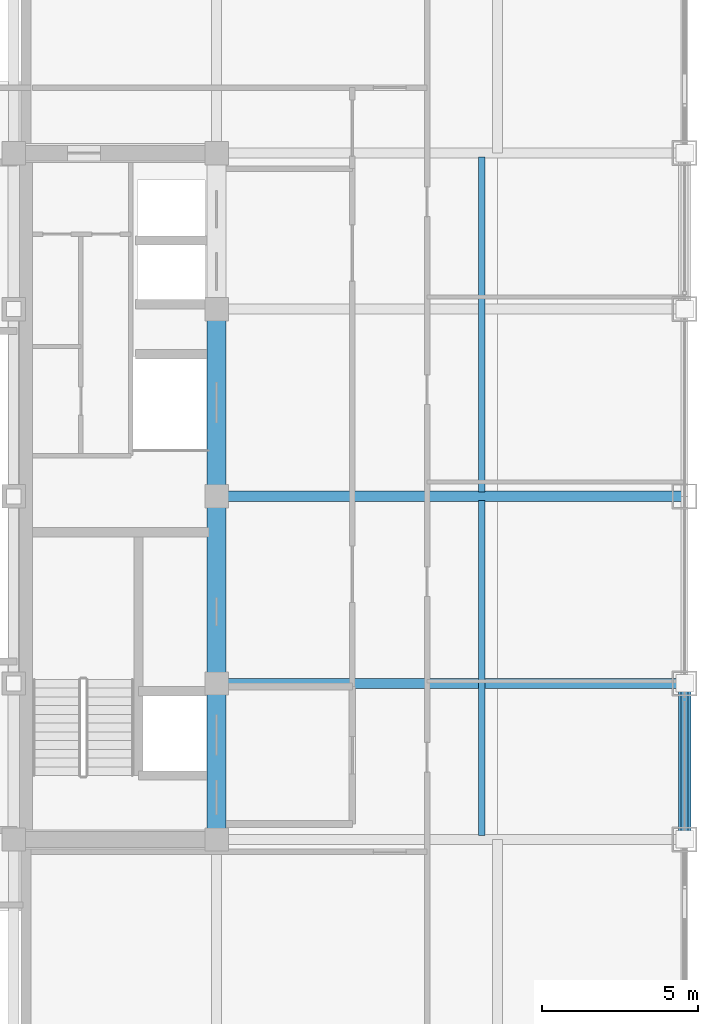
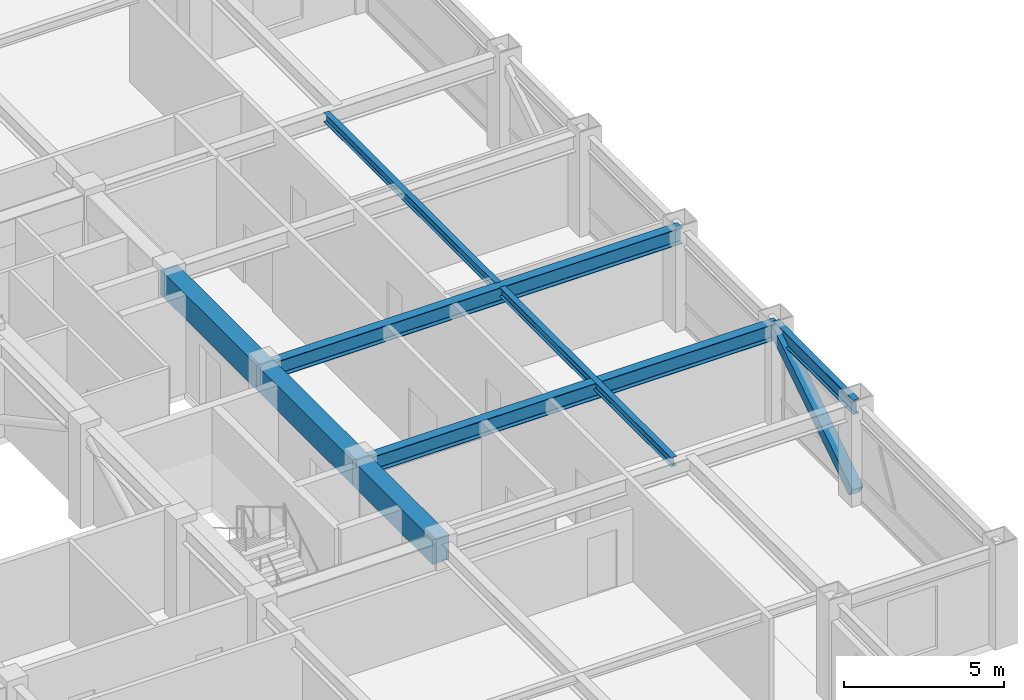
# One storey, part 13 of 29: 8 beams, 1 member.
"""IFC4 building model written with IfcOpenShell, lengths in metres."""

from ifc_helpers import new_model, si_unit, direction, frame, origin, origin_2d, place, context, subcontext, project, spatial, rectangle, hollow_rectangle, i_section, extrude, source, transform, mapped, material, material_profile, profile_set, type_object, element, save


model = new_model("IFC4")

# Units and contexts
model_context = context("Model", 3, precision=1e-05, world=origin(), true_north=direction((0.0, 1.0)))
body_context = subcontext(model_context, "Body", "Model", "MODEL_VIEW")
ifc_project = project(units=[si_unit("LENGTHUNIT", "METRE"), si_unit("AREAUNIT", "SQUARE_METRE"), si_unit("VOLUMEUNIT", "CUBIC_METRE"), si_unit("PLANEANGLEUNIT", "RADIAN"), si_unit("MASSUNIT", "GRAM", prefix="KILO")], contexts=[model_context])

# Site, building, storey
site_placement = place(None, origin())
site = spatial("IfcSite", under=ifc_project, at=site_placement, CompositionType="ELEMENT")
building_placement = place(site_placement, origin())
building = spatial("IfcBuilding", under=site, at=building_placement, Name="Khorayat Bourse Tower", CompositionType="ELEMENT")
storey_placement = place(building_placement, frame((0.0, 0.0, 350.300048828125)))
storey = spatial("IfcBuildingStorey", under=building, at=storey_placement, Name="L83", CompositionType="ELEMENT", Elevation=350.300048828125)

# Beams
ifc_material_1 = material(Name="Concrete C60/75", Category="concrete")
ifc_material_profile_1 = material_profile(ifc_material_1, rectangle(XDim=0.60009765625, YDim=0.949951171875, at=origin_2d()), Name="RC 600x950")
ifc_profile_set_1 = profile_set([ifc_material_profile_1], Name="Concrete C60/75")
beam_type_1 = type_object("IfcBeamType", Name="BM-COUP-950", PredefinedType="BEAM", material=ifc_profile_set_1)
shared_shape_1 = source(origin(), body_context, "Body", "SweptSolid", [
    extrude(rectangle(XDim=0.60009765625, YDim=0.949951171875, at=origin_2d()), origin(), (0.0, 0.0, 1.0), 5.0),
])
beam_1_placement = place(storey_placement, frame((11.0, -11.0, 3.264892578125), z_axis=(0.0, 1.0, 0.0), x_axis=(-1.0, 0.0, 0.0)))
element("IfcBeam", 1, at=beam_1_placement, inside=storey, type_object=beam_type_1, Name="L83 BM-COUP-950 BM-L83-CRX-13", PredefinedType="BEAM", context=body_context, shape_type="MappedRepresentation", body=[
    mapped(shared_shape_1, transform((0.0, 0.0, 0.0), scale=1.0)),
])
shared_shape_2 = source(origin(), body_context, "Body", "SweptSolid", [
    extrude(rectangle(XDim=0.60009765625, YDim=0.949951171875, at=origin_2d()), origin(), (0.0, 0.0, 1.0), 6.0),
])
for number, where, z_axis, x_axis, name in (
    (2, (11.0, -6.0, 3.264892578125), (0.0, 1.0, 0.0), (-1.0, 0.0, 0.0), "L83 BM-COUP-950 BM-L83-CRX-14"),
    (3, (11.0, 0.0, 3.264892578125), (0.0, 1.0, 0.0), (-1.0, 0.0, 0.0), "L83 BM-COUP-950 BM-L83-CRX-15"),
):
    element("IfcBeam", number, at=place(storey_placement, frame(where, z_axis=z_axis, x_axis=x_axis)), inside=storey, type_object=beam_type_1, Name=name, PredefinedType="BEAM", context=body_context, shape_type="MappedRepresentation", body=[
        mapped(shared_shape_2, transform((0.0, 0.0, 0.0), scale=1.0)),
    ])
ifc_material_2 = material(Name="Steel ASTM A992 Grade 50", Category="steel")
ifc_material_profile_2 = material_profile(ifc_material_2, i_section(OverallWidth=0.202880859375, OverallDepth=0.346923828125, WebThickness=0.0078125, FlangeThickness=0.013427734375, FilletRadius=0.010009765625, at=origin_2d()), Name="W360X64")
ifc_profile_set_2 = profile_set([ifc_material_profile_2], Name="Steel ASTM A992 Grade 50")
beam_type_2 = type_object("IfcBeamType", Name="BM-JOIST-360", PredefinedType="JOIST", material=ifc_profile_set_2)
shared_shape_3 = source(origin(), body_context, "Body", "SweptSolid", [
    extrude(i_section(OverallWidth=0.202880859375, OverallDepth=0.346923828125, WebThickness=0.0078125, FlangeThickness=0.013427734375, FilletRadius=0.010009765625, at=origin_2d()), origin(), (0.0, 0.0, 1.0), 10.740234375),
])
for number, where, z_axis, x_axis, name in (
    (4, (19.5, -10.8701171875, 3.56640625), (0.0, 1.0, 0.0), (-1.0, 0.0, 0.0), "L83 BM-JOIST-360 BM-L83-JSTY-081"),
    (5, (19.5, 0.1298828125, 3.56640625), (0.0, 1.0, 0.0), (-1.0, 0.0, 0.0), "L83 BM-JOIST-360 BM-L83-JSTY-082"),
):
    element("IfcBeam", number, at=place(storey_placement, frame(where, z_axis=z_axis, x_axis=x_axis)), inside=storey, type_object=beam_type_2, Name=name, PredefinedType="JOIST", context=body_context, shape_type="MappedRepresentation", body=[
        mapped(shared_shape_3, transform((0.0, 0.0, 0.0), scale=1.0)),
    ])
ifc_material_profile_3 = material_profile(ifc_material_2, i_section(OverallWidth=0.214111328125, OverallDepth=0.549072265625, WebThickness=0.0146484375, FlangeThickness=0.023681640625, FilletRadius=0.013916015625, at=origin_2d()), Name="W530X138")
ifc_profile_set_3 = profile_set([ifc_material_profile_3], Name="Steel ASTM A992 Grade 50")
beam_type_3 = type_object("IfcBeamType", Name="BM-SPAN-530", PredefinedType="SPANDREL", material=ifc_profile_set_3)
shared_shape_4 = source(origin(), body_context, "Body", "SweptSolid", [
    extrude(i_section(OverallWidth=0.214111328125, OverallDepth=0.549072265625, WebThickness=0.0146484375, FlangeThickness=0.023681640625, FilletRadius=0.013916015625, at=origin_2d()), origin(), (0.0, 0.0, 1.0), 5.0),
])
beam_2_placement = place(storey_placement, frame((26.0, -11.0, 3.46533203125), z_axis=(0.0, 1.0, 0.0), x_axis=(-1.0, 0.0, 0.0)))
element("IfcBeam", 6, at=beam_2_placement, inside=storey, type_object=beam_type_3, Name="L83 BM-SPAN-530 BM-L83-SPN-030", PredefinedType="SPANDREL", context=body_context, shape_type="MappedRepresentation", body=[
    mapped(shared_shape_4, transform((0.0, 0.0, 0.0), scale=1.0)),
])
ifc_material_profile_4 = material_profile(ifc_material_2, i_section(OverallWidth=0.324951171875, OverallDepth=0.615966796875, WebThickness=0.013916015625, FlangeThickness=0.021484375, FilletRadius=0.01611328125, at=origin_2d()), Name="W610X174")
ifc_profile_set_4 = profile_set([ifc_material_profile_4], Name="Steel ASTM A992 Grade 50")
beam_type_4 = type_object("IfcBeamType", Name="BM-GIRD-610", PredefinedType="BEAM", material=ifc_profile_set_4)
shared_shape_5 = source(origin(), body_context, "Body", "SweptSolid", [
    extrude(i_section(OverallWidth=0.324951171875, OverallDepth=0.615966796875, WebThickness=0.013916015625, FlangeThickness=0.021484375, FilletRadius=0.01611328125, at=origin_2d()), origin(), (0.0, 0.0, 1.0), 15.0),
])
for number, where, z_axis, x_axis, name in (
    (7, (11.0, -6.0, 3.431884765625), (1.0, 0.0, 0.0), (0.0, 1.0, 0.0), "L83 BM-GIRD-610 BM-L83-RADX-063"),
    (8, (11.0, 0.0, 3.431884765625), (1.0, 0.0, 0.0), (0.0, 1.0, 0.0), "L83 BM-GIRD-610 BM-L83-RADX-065"),
):
    element("IfcBeam", number, at=place(storey_placement, frame(where, z_axis=z_axis, x_axis=x_axis)), inside=storey, type_object=beam_type_4, Name=name, PredefinedType="BEAM", context=body_context, shape_type="MappedRepresentation", body=[
        mapped(shared_shape_5, transform((0.0, 0.0, 0.0), scale=1.0)),
    ])

# Member
ifc_material_3 = material(Name="Steel EN 10025-4 S460M", Category="steel")
ifc_material_profile_5 = material_profile(ifc_material_3, hollow_rectangle(XDim=0.39990234375, YDim=0.39990234375, WallThickness=0.02197265625, at=origin_2d()), Name="HSS 400x400x22")
ifc_profile_set_5 = profile_set([ifc_material_profile_5], Name="Steel EN 10025-4 S460M")
member_type = type_object("IfcMemberType", Name="MBR-TUBE-400", PredefinedType="BRACE", material=ifc_profile_set_5)
shared_shape_6 = source(origin(), body_context, "Body", "SweptSolid", [
    extrude(hollow_rectangle(XDim=0.39990234375, YDim=0.39990234375, WallThickness=0.02197265625, at=origin_2d()), origin(), (0.0, 0.0, 1.0), 5.9580078125),
])
member_placement = place(storey_placement, frame((26.0, -11.0, 0.25), z_axis=(0.0, 0.839210474455, 0.543806748364), x_axis=(-1.0, 0.0, 0.0)))
element("IfcMember", 9, at=member_placement, inside=storey, type_object=member_type, Name="L83 Perimeter Tube Brace 07", PredefinedType="BRACE", context=body_context, shape_type="MappedRepresentation", body=[
    mapped(shared_shape_6, transform((0.0, 0.0, 0.0), scale=1.0)),
])

save(model, "model.ifc")
